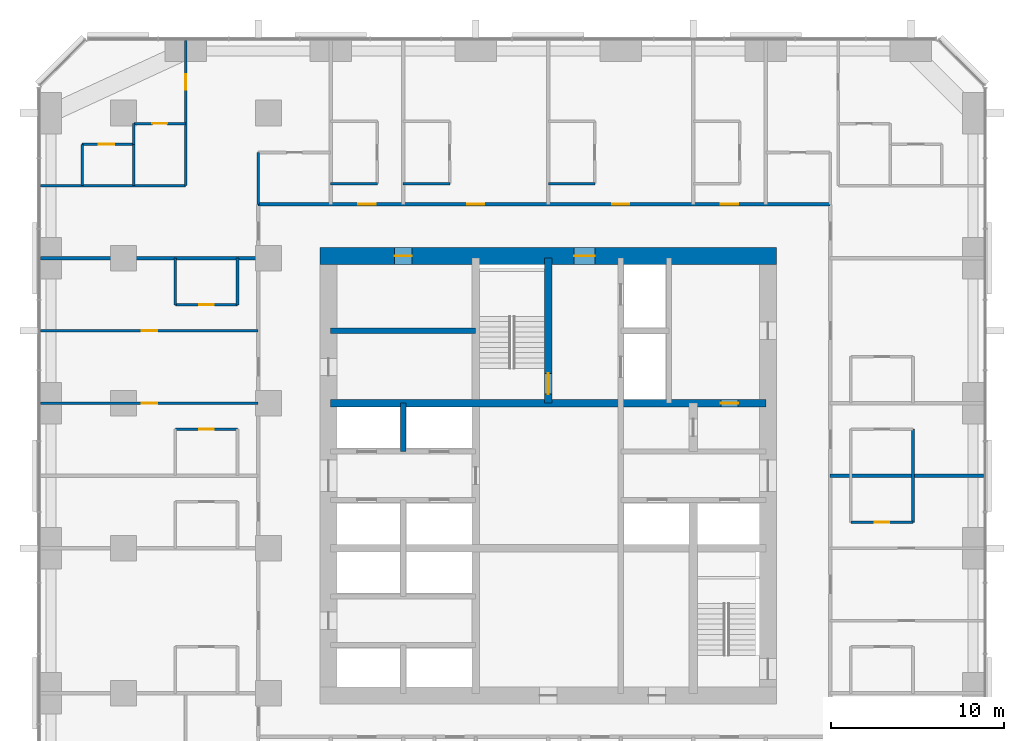
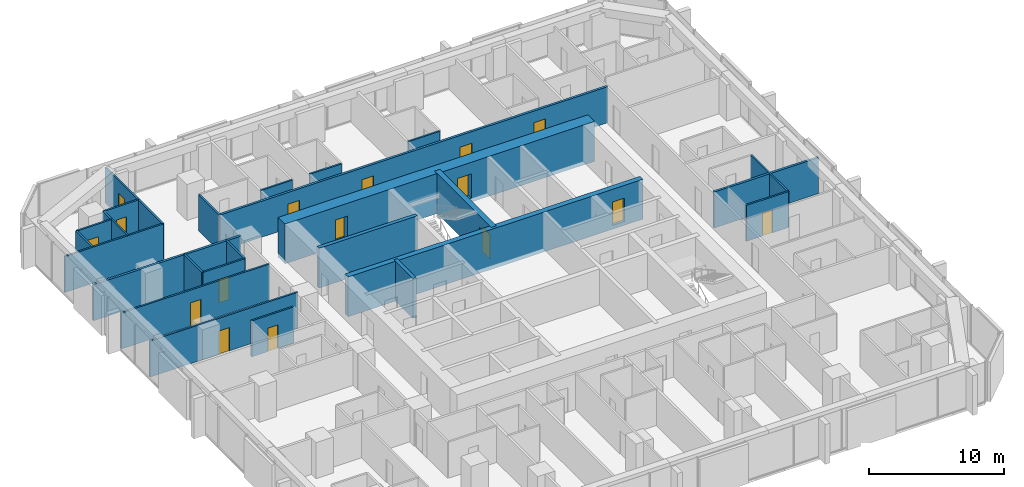
# One storey, part 11 of 14: 27 walls, 16 doors, 16 openings.
"""IFC4 building model written with IfcOpenShell, lengths in metres."""

from ifc_helpers import new_model, si_unit, direction, frame, frame_2d, origin, place, context, subcontext, project, spatial, rectangle, extrude, material, layer, layer_set, type_object, element, fill, save


model = new_model("IFC4")

# Units and contexts
model_context = context("Model", 3, precision=1e-05, world=origin(), true_north=direction((0.0, 1.0)))
body_context = subcontext(model_context, "Body", "Model", "MODEL_VIEW")
ifc_project = project(units=[si_unit("LENGTHUNIT", "METRE"), si_unit("AREAUNIT", "SQUARE_METRE"), si_unit("VOLUMEUNIT", "CUBIC_METRE"), si_unit("PLANEANGLEUNIT", "RADIAN"), si_unit("MASSUNIT", "GRAM", prefix="KILO")], contexts=[model_context])

# Site, building, storey
site_placement = place(None, origin())
site = spatial("IfcSite", under=ifc_project, at=site_placement, CompositionType="ELEMENT")
building_placement = place(site_placement, origin())
building = spatial("IfcBuilding", under=site, at=building_placement, Name="Dunama Terrace Hotel", CompositionType="ELEMENT")
storey_placement = place(building_placement, frame((0.0, 0.0, 136.800048828125)))
storey = spatial("IfcBuildingStorey", under=building, at=storey_placement, Name="L35", CompositionType="ELEMENT", Elevation=136.800048828125)

# Walls
ifc_material_1 = material(Name="Gypsum board partition", Category="masonry")
ifc_layer_1 = layer(ifc_material_1, 0.14990234375)
ifc_layer_set_1 = layer_set([ifc_layer_1], Name="Bathroom partition 150")
wall_type_1 = type_object("IfcWallType", Name="Bathroom partition 150", PredefinedType="PARTITIONING", material=ifc_layer_set_1)
wall_1_placement = place(storey_placement, frame((5.39990234375, 48.60009765625, 0.0), z_axis=(0.0, 0.0, 1.0), x_axis=(0.0, 1.0, 0.0)))
element("IfcWall", 1, at=wall_1_placement, inside=storey, type_object=wall_type_1, Name="Bathroom partition 150 L35", PredefinedType="PARTITIONING", context=body_context, shape_type="SweptSolid", body=[
    extrude(rectangle(XDim=1.199951171875, YDim=0.14990234375, at=frame_2d((0.60009765625, 0.0))), origin(), (0.0, 0.0, 1.0), 3.25),
])
for number, where, z_axis, x_axis, name in (
    (2, (7.800048828125, 39.300048828125, 0.0), (0.0, 0.0, 1.0), (0.0, 1.0, 0.0), "Bathroom partition 150 L35"),
    (3, (11.39990234375, 39.300048828125, 0.0), (0.0, 0.0, 1.0), (0.0, 1.0, 0.0), "Bathroom partition 150 L35"),
):
    element("IfcWall", number, at=place(storey_placement, frame(where, z_axis=z_axis, x_axis=x_axis)), inside=storey, type_object=wall_type_1, Name=name, PredefinedType="PARTITIONING", context=body_context, shape_type="SweptSolid", body=[
        extrude(rectangle(XDim=2.699951171875, YDim=0.14990234375, at=frame_2d((1.35009765625, 0.0))), origin(), (0.0, 0.0, 1.0), 3.25),
    ])
wall_2_placement = place(storey_placement, frame((12.60009765625, 45.125, 0.0), z_axis=(0.0, 0.0, 1.0), x_axis=(0.0, 1.0, 0.0)))
element("IfcWall", 4, at=wall_2_placement, inside=storey, type_object=wall_type_1, Name="Bathroom partition 150 L35", PredefinedType="PARTITIONING", context=body_context, shape_type="SweptSolid", body=[
    extrude(rectangle(XDim=3.0, YDim=0.14990234375, at=frame_2d((1.5, 0.0))), origin(), (0.0, 0.0, 1.0), 3.25),
])
wall_3_placement = place(storey_placement, frame((50.52490234375, 26.699951171875, 0.0), z_axis=(0.0, 0.0, 1.0), x_axis=(0.0, 1.0, 0.0)))
element("IfcWall", 5, at=wall_3_placement, inside=storey, type_object=wall_type_1, Name="Bathroom partition 150 L35", PredefinedType="PARTITIONING", context=body_context, shape_type="SweptSolid", body=[
    extrude(rectangle(XDim=5.400146484375, YDim=0.14990234375, at=frame_2d((2.7001953125, 0.0))), origin(), (0.0, 0.0, 1.0), 3.25),
])

# Wall, opening, door
wall_4_placement = place(storey_placement, frame((46.925048828125, 26.699951171875, 0.0), z_axis=(0.0, 0.0, 1.0), x_axis=(1.0, 0.0, 0.0)))
wall_4 = element("IfcWall", 6, at=wall_4_placement, inside=storey, type_object=wall_type_1, Name="Bathroom partition 150 L35", PredefinedType="PARTITIONING", context=body_context, shape_type="SweptSolid", body=[
    extrude(rectangle(XDim=3.599853515625, YDim=0.14990234375, at=frame_2d((1.7998046875, 0.0))), origin(), (0.0, 0.0, 1.0), 3.25),
])
opening_1_placement = place(wall_4_placement, frame((1.375, 0.0, 0.0)))
opening_1 = element("IfcOpeningElement", 7, at=opening_1_placement, cuts=wall_4, Name="Opening L34-36-027", PredefinedType="OPENING", context=body_context, shape_type="SweptSolid", body=[
    extrude(rectangle(XDim=0.85009765625, YDim=2.10009765625, at=frame_2d((0.425048828125, 1.050048828125))), frame((0.0, 0.0849609375, 0.0), z_axis=(0.0, -1.0, 0.0), x_axis=(1.0, 0.0, 0.0)), (0.0, 0.0, 1.0), 0.169921875),
])
ifc_material_2 = material(Name="Timber door with steel frame", Category="steel")
door_type_1 = type_object("IfcDoorType", Name="Bathroom door 850", OperationType="SINGLE_SWING_LEFT", PredefinedType="DOOR", material=ifc_material_2)
door_1_placement = place(opening_1_placement, origin())
door_1 = element("IfcDoor", 8, at=door_1_placement, inside=storey, type_object=door_type_1, Name="Door to en-suite bathroom L34-36-027, type D2", OperationType="SINGLE_SWING_LEFT", OverallHeight=2.10009765625, OverallWidth=0.85009765625, PredefinedType="DOOR", context=body_context, shape_type="SweptSolid", body=[
    extrude(rectangle(XDim=0.85009765625, YDim=2.10009765625, at=frame_2d((0.425048828125, 1.050048828125))), frame((0.0, 0.02490234375, 0.0), z_axis=(0.0, -1.0, 0.0), x_axis=(1.0, 0.0, 0.0)), (0.0, 0.0, 1.0), 0.050048828125),
])
fill(opening_1, door_1)

wall_5_placement = place(storey_placement, frame((7.800048828125, 32.10009765625, 0.0), z_axis=(0.0, 0.0, 1.0), x_axis=(1.0, 0.0, 0.0)))
wall_5 = element("IfcWall", 9, at=wall_5_placement, inside=storey, type_object=wall_type_1, Name="Bathroom partition 150 L35", PredefinedType="PARTITIONING", context=body_context, shape_type="SweptSolid", body=[
    extrude(rectangle(XDim=3.599853515625, YDim=0.14990234375, at=frame_2d((1.7998046875, 0.0))), origin(), (0.0, 0.0, 1.0), 3.25),
])
opening_2_placement = place(wall_5_placement, frame((1.375, 0.0, 0.0)))
opening_2 = element("IfcOpeningElement", 10, at=opening_2_placement, cuts=wall_5, Name="Opening L34-36-046", PredefinedType="OPENING", context=body_context, shape_type="SweptSolid", body=[
    extrude(rectangle(XDim=0.85009765625, YDim=2.10009765625, at=frame_2d((0.425048828125, 1.050048828125))), frame((0.0, 0.0849609375, 0.0), z_axis=(0.0, -1.0, 0.0), x_axis=(1.0, 0.0, 0.0)), (0.0, 0.0, 1.0), 0.169921875),
])
door_2_placement = place(opening_2_placement, frame((0.85009765625, 0.0, 0.0), z_axis=(0.0, 0.0, 1.0), x_axis=(-1.0, 0.0, 0.0)))
door_2 = element("IfcDoor", 11, at=door_2_placement, inside=storey, type_object=door_type_1, Name="Door to en-suite bathroom L34-36-046, type D2", OperationType="SINGLE_SWING_RIGHT", OverallHeight=2.10009765625, OverallWidth=0.85009765625, PredefinedType="DOOR", context=body_context, shape_type="SweptSolid", body=[
    extrude(rectangle(XDim=0.85009765625, YDim=2.10009765625, at=frame_2d((0.425048828125, 1.050048828125))), frame((0.0, 0.025146484375, 0.0), z_axis=(0.0, -1.0, 0.0), x_axis=(1.0, 0.0, 0.0)), (0.0, 0.0, 1.0), 0.050048828125),
])
fill(opening_2, door_2)

wall_6_placement = place(storey_placement, frame((7.800048828125, 39.300048828125, 0.0), z_axis=(0.0, 0.0, 1.0), x_axis=(1.0, 0.0, 0.0)))
wall_6 = element("IfcWall", 12, at=wall_6_placement, inside=storey, type_object=wall_type_1, Name="Bathroom partition 150 L35", PredefinedType="PARTITIONING", context=body_context, shape_type="SweptSolid", body=[
    extrude(rectangle(XDim=3.599853515625, YDim=0.14990234375, at=frame_2d((1.7998046875, 0.0))), origin(), (0.0, 0.0, 1.0), 3.25),
])
opening_3_placement = place(wall_6_placement, frame((1.375, 0.0, 0.0)))
opening_3 = element("IfcOpeningElement", 13, at=opening_3_placement, cuts=wall_6, Name="Opening L34-36-048", PredefinedType="OPENING", context=body_context, shape_type="SweptSolid", body=[
    extrude(rectangle(XDim=0.85009765625, YDim=2.10009765625, at=frame_2d((0.425048828125, 1.050048828125))), frame((0.0, 0.0849609375, 0.0), z_axis=(0.0, -1.0, 0.0), x_axis=(1.0, 0.0, 0.0)), (0.0, 0.0, 1.0), 0.169921875),
])
door_3_placement = place(opening_3_placement, origin())
door_3 = element("IfcDoor", 14, at=door_3_placement, inside=storey, type_object=door_type_1, Name="Door to en-suite bathroom L34-36-048, type D2", OperationType="SINGLE_SWING_LEFT", OverallHeight=2.10009765625, OverallWidth=0.85009765625, PredefinedType="DOOR", context=body_context, shape_type="SweptSolid", body=[
    extrude(rectangle(XDim=0.85009765625, YDim=2.10009765625, at=frame_2d((0.425048828125, 1.050048828125))), frame((0.0, 0.02490234375, 0.0), z_axis=(0.0, -1.0, 0.0), x_axis=(1.0, 0.0, 0.0)), (0.0, 0.0, 1.0), 0.050048828125),
])
fill(opening_3, door_3)

# Walls
for number, where, z_axis, x_axis, name in (
    (15, (16.800048828125, 46.324951171875, 0.0), (0.0, 0.0, 1.0), (1.0, 0.0, 0.0), "Bathroom partition 150 L35"),
    (16, (21.0, 46.324951171875, 0.0), (0.0, 0.0, 1.0), (1.0, 0.0, 0.0), "Bathroom partition 150 L35"),
):
    element("IfcWall", number, at=place(storey_placement, frame(where, z_axis=z_axis, x_axis=x_axis)), inside=storey, type_object=wall_type_1, Name=name, PredefinedType="PARTITIONING", context=body_context, shape_type="SweptSolid", body=[
        extrude(rectangle(XDim=2.699951171875, YDim=0.14990234375, at=frame_2d((1.35009765625, 0.0))), origin(), (0.0, 0.0, 1.0), 3.25),
    ])
wall_7_placement = place(storey_placement, frame((29.39990234375, 46.324951171875, 0.0), z_axis=(0.0, 0.0, 1.0), x_axis=(1.0, 0.0, 0.0)))
element("IfcWall", 17, at=wall_7_placement, inside=storey, type_object=wall_type_1, Name="Bathroom partition 150 L35", PredefinedType="PARTITIONING", context=body_context, shape_type="SweptSolid", body=[
    extrude(rectangle(XDim=2.7001953125, YDim=0.14990234375, at=frame_2d((1.35009765625, 0.0))), origin(), (0.0, 0.0, 1.0), 3.25),
])

# Wall, opening, door
wall_8_placement = place(storey_placement, frame((5.39990234375, 49.800048828125, 0.0), z_axis=(0.0, 0.0, 1.0), x_axis=(1.0, 0.0, 0.0)))
wall_8 = element("IfcWall", 18, at=wall_8_placement, inside=storey, type_object=wall_type_1, Name="Bathroom partition 150 L35", PredefinedType="PARTITIONING", context=body_context, shape_type="SweptSolid", body=[
    extrude(rectangle(XDim=3.0, YDim=0.14990234375, at=frame_2d((1.5, 0.0))), origin(), (0.0, 0.0, 1.0), 3.25),
])
opening_4_placement = place(wall_8_placement, frame((1.074951171875, 0.0, 0.0)))
opening_4 = element("IfcOpeningElement", 19, at=opening_4_placement, cuts=wall_8, Name="Opening L34-36-068", PredefinedType="OPENING", context=body_context, shape_type="SweptSolid", body=[
    extrude(rectangle(XDim=0.85009765625, YDim=2.10009765625, at=frame_2d((0.425048828125, 1.050048828125))), frame((0.0, 0.0849609375, 0.0), z_axis=(0.0, -1.0, 0.0), x_axis=(1.0, 0.0, 0.0)), (0.0, 0.0, 1.0), 0.169921875),
])
door_4_placement = place(opening_4_placement, frame((0.85009765625, 0.0, 0.0), z_axis=(0.0, 0.0, 1.0), x_axis=(-1.0, 0.0, 0.0)))
door_4 = element("IfcDoor", 20, at=door_4_placement, inside=storey, type_object=door_type_1, Name="Door to en-suite bathroom L34-36-068, type D2", OperationType="SINGLE_SWING_RIGHT", OverallHeight=2.10009765625, OverallWidth=0.85009765625, PredefinedType="DOOR", context=body_context, shape_type="SweptSolid", body=[
    extrude(rectangle(XDim=0.85009765625, YDim=2.10009765625, at=frame_2d((0.425048828125, 1.050048828125))), frame((0.0, 0.025146484375, 0.0), z_axis=(0.0, -1.0, 0.0), x_axis=(1.0, 0.0, 0.0)), (0.0, 0.0, 1.0), 0.050048828125),
])
fill(opening_4, door_4)

# Walls
ifc_material_3 = material(Name="Concrete C50/60", Category="concrete")
ifc_layer_2 = layer(ifc_material_3, 0.300048828125)
ifc_layer_set_2 = layer_set([ifc_layer_2], Name="Core inner wall 300")
wall_type_2 = type_object("IfcWallType", Name="Core inner wall 300", PredefinedType="SHEAR", material=ifc_layer_set_2)
wall_9_placement = place(storey_placement, frame((21.0, 30.800048828125, -0.35009765625), z_axis=(0.0, 0.0, 1.0), x_axis=(0.0, 1.0, 0.0)))
element("IfcWall", 21, at=wall_9_placement, inside=storey, type_object=wall_type_2, Name="Core inner wall 300 L35", PredefinedType="SHEAR", context=body_context, shape_type="SweptSolid", body=[
    extrude(rectangle(XDim=2.800048828125, YDim=0.300048828125, at=frame_2d((1.39990234375, 0.0))), origin(), (0.0, 0.0, 1.0), 3.60009765625),
])
wall_10_placement = place(storey_placement, frame((16.800048828125, 37.800048828125, -0.35009765625), z_axis=(0.0, 0.0, 1.0), x_axis=(1.0, 0.0, 0.0)))
element("IfcWall", 22, at=wall_10_placement, inside=storey, type_object=wall_type_2, Name="Core inner wall 300 L35", PredefinedType="SHEAR", context=body_context, shape_type="SweptSolid", body=[
    extrude(rectangle(XDim=8.39990234375, YDim=0.300048828125, at=frame_2d((4.199951171875, 0.0))), origin(), (0.0, 0.0, 1.0), 3.60009765625),
])

# Wall, opening, door
ifc_material_4 = material(Name="Concrete C50/60", Category="concrete")
ifc_layer_3 = layer(ifc_material_4, 0.449951171875)
ifc_layer_set_3 = layer_set([ifc_layer_3], Name="Core inner wall 450")
wall_type_3 = type_object("IfcWallType", Name="Core inner wall 450", PredefinedType="SHEAR", material=ifc_layer_set_3)
wall_11_placement = place(storey_placement, frame((29.39990234375, 33.60009765625, -0.35009765625), z_axis=(0.0, 0.0, 1.0), x_axis=(0.0, 1.0, 0.0)))
wall_11 = element("IfcWall", 23, at=wall_11_placement, inside=storey, type_object=wall_type_3, Name="Core inner wall 450 L35", PredefinedType="SHEAR", context=body_context, shape_type="SweptSolid", body=[
    extrude(rectangle(XDim=8.39990234375, YDim=0.449951171875, at=frame_2d((4.199951171875, 0.0))), origin(), (0.0, 0.0, 1.0), 3.60009765625),
])
opening_5_placement = place(wall_11_placement, frame((0.52490234375, 0.0, 0.35009765625)))
opening_5 = element("IfcOpeningElement", 24, at=opening_5_placement, cuts=wall_11, Name="Opening L34-36-001", PredefinedType="OPENING", context=body_context, shape_type="SweptSolid", body=[
    extrude(rectangle(XDim=1.199951171875, YDim=2.199951171875, at=frame_2d((0.60009765625, 1.10009765625))), frame((0.0, 0.23486328125, 0.0), z_axis=(0.0, -1.0, 0.0), x_axis=(1.0, 0.0, 0.0)), (0.0, 0.0, 1.0), 0.469970703125),
])
ifc_material_5 = material(Name="Timber door with steel frame", Category="steel")
door_type_2 = type_object("IfcDoorType", Name="Stair door 1200", OperationType="SINGLE_SWING_LEFT", PredefinedType="DOOR", material=ifc_material_5)
door_5_placement = place(opening_5_placement, origin())
door_5 = element("IfcDoor", 25, at=door_5_placement, inside=storey, type_object=door_type_2, Name="Stair door ST1 L34-36-001, type D5", OperationType="SINGLE_SWING_LEFT", OverallHeight=2.199951171875, OverallWidth=1.199951171875, PredefinedType="DOOR", context=body_context, shape_type="SweptSolid", body=[
    extrude(rectangle(XDim=1.199951171875, YDim=2.199951171875, at=frame_2d((0.60009765625, 1.10009765625))), frame((0.0, 0.02490234375, 0.0), z_axis=(0.0, -1.0, 0.0), x_axis=(1.0, 0.0, 0.0)), (0.0, 0.0, 1.0), 0.050048828125),
])
fill(opening_5, door_5)

wall_12_placement = place(storey_placement, frame((16.800048828125, 33.60009765625, -0.35009765625), z_axis=(0.0, 0.0, 1.0), x_axis=(1.0, 0.0, 0.0)))
wall_12 = element("IfcWall", 26, at=wall_12_placement, inside=storey, type_object=wall_type_3, Name="Core inner wall 450 L35", PredefinedType="SHEAR", context=body_context, shape_type="SweptSolid", body=[
    extrude(rectangle(XDim=25.199951171875, YDim=0.449951171875, at=frame_2d((12.60009765625, 0.0))), origin(), (0.0, 0.0, 1.0), 3.60009765625),
])
opening_6_placement = place(wall_12_placement, frame((22.60009765625, 0.0, 0.35009765625)))
opening_6 = element("IfcOpeningElement", 27, at=opening_6_placement, cuts=wall_12, Name="Opening L34-36-076", PredefinedType="OPENING", context=body_context, shape_type="SweptSolid", body=[
    extrude(rectangle(XDim=1.0, YDim=2.10009765625, at=frame_2d((0.5, 1.050048828125))), frame((0.0, 0.23486328125, 0.0), z_axis=(0.0, -1.0, 0.0), x_axis=(1.0, 0.0, 0.0)), (0.0, 0.0, 1.0), 0.469970703125),
])
ifc_material_6 = material(Name="Timber door with steel frame", Category="steel")
door_type_3 = type_object("IfcDoorType", Name="Service door 1000", OperationType="SINGLE_SWING_LEFT", PredefinedType="DOOR", material=ifc_material_6)
door_6_placement = place(opening_6_placement, frame((1.0, 0.0, 0.0), z_axis=(0.0, 0.0, 1.0), x_axis=(-1.0, 0.0, 0.0)))
door_6 = element("IfcDoor", 28, at=door_6_placement, inside=storey, type_object=door_type_3, Name="Door to housekeeping and linen store L34-36-076, type D7", OperationType="SINGLE_SWING_LEFT", OverallHeight=2.10009765625, OverallWidth=1.0, PredefinedType="DOOR", context=body_context, shape_type="SweptSolid", body=[
    extrude(rectangle(XDim=1.0, YDim=2.10009765625, at=frame_2d((0.5, 1.050048828125))), frame((0.0, 0.025146484375, 0.0), z_axis=(0.0, -1.0, 0.0), x_axis=(1.0, 0.0, 0.0)), (0.0, 0.0, 1.0), 0.050048828125),
])
fill(opening_6, door_6)

# Wall, openings, doors
ifc_material_7 = material(Name="Concrete C60/75", Category="concrete")
ifc_layer_4 = layer(ifc_material_7, 1.0)
ifc_layer_set_4 = layer_set([ifc_layer_4], Name="Core wall 1000")
wall_type_4 = type_object("IfcWallType", Name="Core wall 1000", PredefinedType="SHEAR", material=ifc_layer_set_4)
wall_13_placement = place(storey_placement, frame((42.625, 42.125, -0.35009765625), z_axis=(0.0, 0.0, 1.0), x_axis=(-1.0, 0.0, 0.0)))
wall_13 = element("IfcWall", 29, at=wall_13_placement, inside=storey, type_object=wall_type_4, Name="Core wall north L35", PredefinedType="SHEAR", context=body_context, shape_type="SweptSolid", body=[
    extrude(rectangle(XDim=26.449951171875, YDim=1.0, at=frame_2d((13.22509765625, 0.0))), origin(), (0.0, 0.0, 1.0), 3.60009765625),
])
opening_7_placement = place(wall_13_placement, frame((21.125, 0.0, 0.35009765625)))
opening_7 = element("IfcOpeningElement", 30, at=opening_7_placement, cuts=wall_13, Name="Opening L34-36-073", PredefinedType="OPENING", context=body_context, shape_type="SweptSolid", body=[
    extrude(rectangle(XDim=1.0, YDim=2.10009765625, at=frame_2d((0.5, 1.050048828125))), frame((0.0, 0.510009765625, 0.0), z_axis=(0.0, -1.0, 0.0), x_axis=(1.0, 0.0, 0.0)), (0.0, 0.0, 1.0), 1.02001953125),
])
opening_8_placement = place(wall_13_placement, frame((10.52490234375, 0.0, 0.35009765625)))
opening_8 = element("IfcOpeningElement", 31, at=opening_8_placement, cuts=wall_13, Name="Opening L34-36-078", PredefinedType="OPENING", context=body_context, shape_type="SweptSolid", body=[
    extrude(rectangle(XDim=1.199951171875, YDim=2.199951171875, at=frame_2d((0.60009765625, 1.10009765625))), frame((0.0, 0.510009765625, 0.0), z_axis=(0.0, -1.0, 0.0), x_axis=(1.0, 0.0, 0.0)), (0.0, 0.0, 1.0), 1.02001953125),
])
ifc_material_8 = material(Name="Timber door with steel frame", Category="steel")
door_type_4 = type_object("IfcDoorType", Name="Firefighting lobby door 1200", OperationType="SINGLE_SWING_LEFT", PredefinedType="DOOR", material=ifc_material_8)
door_7_placement = place(opening_8_placement, origin())
door_7 = element("IfcDoor", 32, at=door_7_placement, inside=storey, type_object=door_type_4, Name="Door to firefighting lobby L34-36-078, type D4", OperationType="SINGLE_SWING_RIGHT", OverallHeight=2.199951171875, OverallWidth=1.199951171875, PredefinedType="DOOR", context=body_context, shape_type="SweptSolid", body=[
    extrude(rectangle(XDim=1.199951171875, YDim=2.199951171875, at=frame_2d((0.60009765625, 1.10009765625))), frame((0.0, 0.02490234375, 0.0), z_axis=(0.0, -1.0, 0.0), x_axis=(1.0, 0.0, 0.0)), (0.0, 0.0, 1.0), 0.050048828125),
])
fill(opening_8, door_7)
door_8_placement = place(opening_7_placement, origin())
door_8 = element("IfcDoor", 33, at=door_8_placement, inside=storey, type_object=door_type_3, Name="Door to communications and riser room L34-36-073, type D7", OperationType="SINGLE_SWING_LEFT", OverallHeight=2.10009765625, OverallWidth=1.0, PredefinedType="DOOR", context=body_context, shape_type="SweptSolid", body=[
    extrude(rectangle(XDim=1.0, YDim=2.10009765625, at=frame_2d((0.5, 1.050048828125))), frame((0.0, 0.02490234375, 0.0), z_axis=(0.0, -1.0, 0.0), x_axis=(1.0, 0.0, 0.0)), (0.0, 0.0, 1.0), 0.050048828125),
])
fill(opening_7, door_8)

ifc_material_9 = material(Name="Concrete blockwork", Category="masonry")
ifc_layer_5 = layer(ifc_material_9, 0.199951171875)
ifc_layer_set_5 = layer_set([ifc_layer_5], Name="Corridor partition 200")
wall_type_5 = type_object("IfcWallType", Name="Corridor partition 200", PredefinedType="PARTITIONING", material=ifc_layer_set_5)
wall_14_placement = place(storey_placement, frame((12.60009765625, 45.125, 0.0), z_axis=(0.0, 0.0, 1.0), x_axis=(1.0, 0.0, 0.0)))
wall_14 = element("IfcWall", 34, at=wall_14_placement, inside=storey, type_object=wall_type_5, Name="Corridor partition 200 L35", PredefinedType="PARTITIONING", context=body_context, shape_type="SweptSolid", body=[
    extrude(rectangle(XDim=33.125, YDim=0.199951171875, at=frame_2d((16.5625, 0.0))), origin(), (0.0, 0.0, 1.0), 3.25),
])
opening_9_placement = place(wall_14_placement, frame((5.800048828125, 0.0, 0.0)))
opening_9 = element("IfcOpeningElement", 35, at=opening_9_placement, cuts=wall_14, Name="Opening L34-36-032", PredefinedType="OPENING", context=body_context, shape_type="SweptSolid", body=[
    extrude(rectangle(XDim=1.0, YDim=2.199951171875, at=frame_2d((0.5, 1.10009765625))), frame((0.0, 0.10986328125, 0.0), z_axis=(0.0, -1.0, 0.0), x_axis=(1.0, 0.0, 0.0)), (0.0, 0.0, 1.0), 0.219970703125),
])
opening_10_placement = place(wall_14_placement, frame((12.10009765625, 0.0, 0.0)))
opening_10 = element("IfcOpeningElement", 36, at=opening_10_placement, cuts=wall_14, Name="Opening L34-36-034", PredefinedType="OPENING", context=body_context, shape_type="SweptSolid", body=[
    extrude(rectangle(XDim=1.0, YDim=2.199951171875, at=frame_2d((0.5, 1.10009765625))), frame((0.0, 0.10986328125, 0.0), z_axis=(0.0, -1.0, 0.0), x_axis=(1.0, 0.0, 0.0)), (0.0, 0.0, 1.0), 0.219970703125),
])
opening_11_placement = place(wall_14_placement, frame((20.5, 0.0, 0.0)))
opening_11 = element("IfcOpeningElement", 37, at=opening_11_placement, cuts=wall_14, Name="Opening L34-36-036", PredefinedType="OPENING", context=body_context, shape_type="SweptSolid", body=[
    extrude(rectangle(XDim=1.0, YDim=2.199951171875, at=frame_2d((0.5, 1.10009765625))), frame((0.0, 0.10986328125, 0.0), z_axis=(0.0, -1.0, 0.0), x_axis=(1.0, 0.0, 0.0)), (0.0, 0.0, 1.0), 0.219970703125),
])
opening_12_placement = place(wall_14_placement, frame((26.800048828125, 0.0, 0.0)))
opening_12 = element("IfcOpeningElement", 38, at=opening_12_placement, cuts=wall_14, Name="Opening L34-36-038", PredefinedType="OPENING", context=body_context, shape_type="SweptSolid", body=[
    extrude(rectangle(XDim=1.0, YDim=2.199951171875, at=frame_2d((0.5, 1.10009765625))), frame((0.0, 0.10986328125, 0.0), z_axis=(0.0, -1.0, 0.0), x_axis=(1.0, 0.0, 0.0)), (0.0, 0.0, 1.0), 0.219970703125),
])
ifc_material_10 = material(Name="Timber door with steel frame", Category="steel")
door_type_5 = type_object("IfcDoorType", Name="Guest room door 1000", OperationType="SINGLE_SWING_LEFT", PredefinedType="DOOR", material=ifc_material_10)
door_9_placement = place(opening_9_placement, origin())
door_9 = element("IfcDoor", 39, at=door_9_placement, inside=storey, type_object=door_type_5, Name="Door to premier room L34-36-032, type D1", OperationType="SINGLE_SWING_LEFT", OverallHeight=2.199951171875, OverallWidth=1.0, PredefinedType="DOOR", context=body_context, shape_type="SweptSolid", body=[
    extrude(rectangle(XDim=1.0, YDim=2.199951171875, at=frame_2d((0.5, 1.10009765625))), frame((0.0, 0.02490234375, 0.0), z_axis=(0.0, -1.0, 0.0), x_axis=(1.0, 0.0, 0.0)), (0.0, 0.0, 1.0), 0.050048828125),
])
fill(opening_9, door_9)
door_10_placement = place(opening_10_placement, origin())
door_10 = element("IfcDoor", 40, at=door_10_placement, inside=storey, type_object=door_type_5, Name="Door to junior suite L34-36-034, type D1", OperationType="SINGLE_SWING_LEFT", OverallHeight=2.199951171875, OverallWidth=1.0, PredefinedType="DOOR", context=body_context, shape_type="SweptSolid", body=[
    extrude(rectangle(XDim=1.0, YDim=2.199951171875, at=frame_2d((0.5, 1.10009765625))), frame((0.0, 0.02490234375, 0.0), z_axis=(0.0, -1.0, 0.0), x_axis=(1.0, 0.0, 0.0)), (0.0, 0.0, 1.0), 0.050048828125),
])
fill(opening_10, door_10)
door_11_placement = place(opening_11_placement, origin())
door_11 = element("IfcDoor", 41, at=door_11_placement, inside=storey, type_object=door_type_5, Name="Door to junior suite L34-36-036, type D1", OperationType="SINGLE_SWING_LEFT", OverallHeight=2.199951171875, OverallWidth=1.0, PredefinedType="DOOR", context=body_context, shape_type="SweptSolid", body=[
    extrude(rectangle(XDim=1.0, YDim=2.199951171875, at=frame_2d((0.5, 1.10009765625))), frame((0.0, 0.02490234375, 0.0), z_axis=(0.0, -1.0, 0.0), x_axis=(1.0, 0.0, 0.0)), (0.0, 0.0, 1.0), 0.050048828125),
])
fill(opening_11, door_11)
door_12_placement = place(opening_12_placement, origin())
door_12 = element("IfcDoor", 42, at=door_12_placement, inside=storey, type_object=door_type_5, Name="Door to premier room L34-36-038, type D1", OperationType="SINGLE_SWING_LEFT", OverallHeight=2.199951171875, OverallWidth=1.0, PredefinedType="DOOR", context=body_context, shape_type="SweptSolid", body=[
    extrude(rectangle(XDim=1.0, YDim=2.199951171875, at=frame_2d((0.5, 1.10009765625))), frame((0.0, 0.02490234375, 0.0), z_axis=(0.0, -1.0, 0.0), x_axis=(1.0, 0.0, 0.0)), (0.0, 0.0, 1.0), 0.050048828125),
])
fill(opening_12, door_12)

# Walls
ifc_material_11 = material(Name="Concrete blockwork", Category="masonry")
ifc_layer_6 = layer(ifc_material_11, 0.199951171875)
ifc_layer_set_6 = layer_set([ifc_layer_6], Name="Party wall 200")
wall_type_6 = type_object("IfcWallType", Name="Party wall 200", PredefinedType="PARTITIONING", material=ifc_layer_set_6)
wall_15_placement = place(storey_placement, frame((45.72509765625, 29.39990234375, 0.0), z_axis=(0.0, 0.0, 1.0), x_axis=(1.0, 0.0, 0.0)))
element("IfcWall", 43, at=wall_15_placement, inside=storey, type_object=wall_type_6, Name="Party wall 200 L35", PredefinedType="PARTITIONING", context=body_context, shape_type="SweptSolid", body=[
    extrude(rectangle(XDim=8.892822265625, YDim=0.199951171875, at=frame_2d((4.4462890625, 0.0))), origin(), (0.0, 0.0, 1.0), 3.25),
])
wall_16_placement = place(storey_placement, frame((-0.01806640625, 42.0, 0.0), z_axis=(0.0, 0.0, 1.0), x_axis=(1.0, 0.0, 0.0)))
element("IfcWall", 44, at=wall_16_placement, inside=storey, type_object=wall_type_6, Name="Party wall 200 L35", PredefinedType="PARTITIONING", context=body_context, shape_type="SweptSolid", body=[
    extrude(rectangle(XDim=12.6181640625, YDim=0.199951171875, at=frame_2d((6.30908203125, 0.0))), origin(), (0.0, 0.0, 1.0), 3.25),
])
ifc_material_12 = material(Name="Gypsum board partition", Category="masonry")
ifc_layer_7 = layer(ifc_material_12, 0.14990234375)
ifc_layer_set_7 = layer_set([ifc_layer_7], Name="Room partition 150")
wall_type_7 = type_object("IfcWallType", Name="Room partition 150", PredefinedType="PARTITIONING", material=ifc_layer_set_7)
for number, where, z_axis, x_axis, name in (
    (45, (2.39990234375, 46.199951171875, 0.0), (0.0, 0.0, 1.0), (0.0, 1.0, 0.0), "Room partition 150 L35"),
    (46, (5.39990234375, 46.199951171875, 0.0), (0.0, 0.0, 1.0), (0.0, 1.0, 0.0), "Room partition 150 L35"),
):
    element("IfcWall", number, at=place(storey_placement, frame(where, z_axis=z_axis, x_axis=x_axis)), inside=storey, type_object=wall_type_7, Name=name, PredefinedType="PARTITIONING", context=body_context, shape_type="SweptSolid", body=[
        extrude(rectangle(XDim=2.400146484375, YDim=0.14990234375, at=frame_2d((1.2001953125, 0.0))), origin(), (0.0, 0.0, 1.0), 3.25),
    ])

# Wall, opening, door
wall_17_placement = place(storey_placement, frame((8.39990234375, 46.199951171875, 0.0), z_axis=(0.0, 0.0, 1.0), x_axis=(0.0, 1.0, 0.0)))
wall_17 = element("IfcWall", 47, at=wall_17_placement, inside=storey, type_object=wall_type_7, Name="Room partition 150 L35", PredefinedType="PARTITIONING", context=body_context, shape_type="SweptSolid", body=[
    extrude(rectangle(XDim=8.41796875, YDim=0.14990234375, at=frame_2d((4.208984375, 0.0))), origin(), (0.0, 0.0, 1.0), 3.25),
])
opening_13_placement = place(wall_17_placement, frame((5.550048828125, 0.0, 0.0)))
opening_13 = element("IfcOpeningElement", 48, at=opening_13_placement, cuts=wall_17, Name="Opening L34-36-067", PredefinedType="OPENING", context=body_context, shape_type="SweptSolid", body=[
    extrude(rectangle(XDim=0.89990234375, YDim=2.10009765625, at=frame_2d((0.449951171875, 1.050048828125))), frame((0.0, 0.0849609375, 0.0), z_axis=(0.0, -1.0, 0.0), x_axis=(1.0, 0.0, 0.0)), (0.0, 0.0, 1.0), 0.169921875),
])
ifc_material_13 = material(Name="Timber door with steel frame", Category="steel")
door_type_6 = type_object("IfcDoorType", Name="Suite internal door 900", OperationType="SINGLE_SWING_LEFT", PredefinedType="DOOR", material=ifc_material_13)
door_13_placement = place(opening_13_placement, origin())
door_13 = element("IfcDoor", 49, at=door_13_placement, inside=storey, type_object=door_type_6, Name="Door to corner suite bedroom L34-36-067, type D16", OperationType="SINGLE_SWING_RIGHT", OverallHeight=2.10009765625, OverallWidth=0.89990234375, PredefinedType="DOOR", context=body_context, shape_type="SweptSolid", body=[
    extrude(rectangle(XDim=0.89990234375, YDim=2.10009765625, at=frame_2d((0.449951171875, 1.050048828125))), frame((0.0, 0.02490234375, 0.0), z_axis=(0.0, -1.0, 0.0), x_axis=(1.0, 0.0, 0.0)), (0.0, 0.0, 1.0), 0.050048828125),
])
fill(opening_13, door_13)

wall_18_placement = place(storey_placement, frame((-0.01806640625, 33.60009765625, 0.0), z_axis=(0.0, 0.0, 1.0), x_axis=(1.0, 0.0, 0.0)))
wall_18 = element("IfcWall", 50, at=wall_18_placement, inside=storey, type_object=wall_type_7, Name="Room partition 150 L35", PredefinedType="PARTITIONING", context=body_context, shape_type="SweptSolid", body=[
    extrude(rectangle(XDim=12.6181640625, YDim=0.14990234375, at=frame_2d((6.30908203125, 0.0))), origin(), (0.0, 0.0, 1.0), 3.25),
])
opening_14_placement = place(wall_18_placement, frame((5.867919921875, 0.0, 0.0)))
opening_14 = element("IfcOpeningElement", 51, at=opening_14_placement, cuts=wall_18, Name="Opening L34-36-045", PredefinedType="OPENING", context=body_context, shape_type="SweptSolid", body=[
    extrude(rectangle(XDim=0.89990234375, YDim=2.10009765625, at=frame_2d((0.449951171875, 1.050048828125))), frame((0.0, 0.0849609375, 0.0), z_axis=(0.0, -1.0, 0.0), x_axis=(1.0, 0.0, 0.0)), (0.0, 0.0, 1.0), 0.169921875),
])
door_14_placement = place(opening_14_placement, frame((0.89990234375, 0.0, 0.0), z_axis=(0.0, 0.0, 1.0), x_axis=(-1.0, 0.0, 0.0)))
door_14 = element("IfcDoor", 52, at=door_14_placement, inside=storey, type_object=door_type_6, Name="Door to family suite bedroom L34-36-045, type D16", OperationType="SINGLE_SWING_RIGHT", OverallHeight=2.10009765625, OverallWidth=0.89990234375, PredefinedType="DOOR", context=body_context, shape_type="SweptSolid", body=[
    extrude(rectangle(XDim=0.89990234375, YDim=2.10009765625, at=frame_2d((0.449951171875, 1.050048828125))), frame((0.0, 0.025146484375, 0.0), z_axis=(0.0, -1.0, 0.0), x_axis=(1.0, 0.0, 0.0)), (0.0, 0.0, 1.0), 0.050048828125),
])
fill(opening_14, door_14)

wall_19_placement = place(storey_placement, frame((-0.01806640625, 37.800048828125, 0.0), z_axis=(0.0, 0.0, 1.0), x_axis=(1.0, 0.0, 0.0)))
wall_19 = element("IfcWall", 53, at=wall_19_placement, inside=storey, type_object=wall_type_7, Name="Room partition 150 L35", PredefinedType="PARTITIONING", context=body_context, shape_type="SweptSolid", body=[
    extrude(rectangle(XDim=12.6181640625, YDim=0.14990234375, at=frame_2d((6.30908203125, 0.0))), origin(), (0.0, 0.0, 1.0), 3.25),
])
opening_15_placement = place(wall_19_placement, frame((5.867919921875, 0.0, 0.0)))
opening_15 = element("IfcOpeningElement", 54, at=opening_15_placement, cuts=wall_19, Name="Opening L34-36-047", PredefinedType="OPENING", context=body_context, shape_type="SweptSolid", body=[
    extrude(rectangle(XDim=0.89990234375, YDim=2.10009765625, at=frame_2d((0.449951171875, 1.050048828125))), frame((0.0, 0.0849609375, 0.0), z_axis=(0.0, -1.0, 0.0), x_axis=(1.0, 0.0, 0.0)), (0.0, 0.0, 1.0), 0.169921875),
])
door_15_placement = place(opening_15_placement, origin())
door_15 = element("IfcDoor", 55, at=door_15_placement, inside=storey, type_object=door_type_6, Name="Door to family suite second bedroom L34-36-047, type D16", OperationType="SINGLE_SWING_RIGHT", OverallHeight=2.10009765625, OverallWidth=0.89990234375, PredefinedType="DOOR", context=body_context, shape_type="SweptSolid", body=[
    extrude(rectangle(XDim=0.89990234375, YDim=2.10009765625, at=frame_2d((0.449951171875, 1.050048828125))), frame((0.0, 0.02490234375, 0.0), z_axis=(0.0, -1.0, 0.0), x_axis=(1.0, 0.0, 0.0)), (0.0, 0.0, 1.0), 0.050048828125),
])
fill(opening_15, door_15)

# Wall
wall_20_placement = place(storey_placement, frame((-0.01806640625, 46.199951171875, 0.0), z_axis=(0.0, 0.0, 1.0), x_axis=(1.0, 0.0, 0.0)))
element("IfcWall", 56, at=wall_20_placement, inside=storey, type_object=wall_type_7, Name="Room partition 150 L35", PredefinedType="PARTITIONING", context=body_context, shape_type="SweptSolid", body=[
    extrude(rectangle(XDim=8.41796875, YDim=0.14990234375, at=frame_2d((4.208984375, 0.0))), origin(), (0.0, 0.0, 1.0), 3.25),
])

# Wall, opening, door
wall_21_placement = place(storey_placement, frame((2.39990234375, 48.60009765625, 0.0), z_axis=(0.0, 0.0, 1.0), x_axis=(1.0, 0.0, 0.0)))
wall_21 = element("IfcWall", 57, at=wall_21_placement, inside=storey, type_object=wall_type_7, Name="Room partition 150 L35", PredefinedType="PARTITIONING", context=body_context, shape_type="SweptSolid", body=[
    extrude(rectangle(XDim=3.0, YDim=0.14990234375, at=frame_2d((1.5, 0.0))), origin(), (0.0, 0.0, 1.0), 3.25),
])
opening_16_placement = place(wall_21_placement, frame((0.949951171875, 0.0, 0.0)))
opening_16 = element("IfcOpeningElement", 58, at=opening_16_placement, cuts=wall_21, Name="Opening L34-36-069", PredefinedType="OPENING", context=body_context, shape_type="SweptSolid", body=[
    extrude(rectangle(XDim=0.89990234375, YDim=2.10009765625, at=frame_2d((0.449951171875, 1.050048828125))), frame((0.0, 0.0849609375, 0.0), z_axis=(0.0, -1.0, 0.0), x_axis=(1.0, 0.0, 0.0)), (0.0, 0.0, 1.0), 0.169921875),
])
door_16_placement = place(opening_16_placement, frame((0.89990234375, 0.0, 0.0), z_axis=(0.0, 0.0, 1.0), x_axis=(-1.0, 0.0, 0.0)))
door_16 = element("IfcDoor", 59, at=door_16_placement, inside=storey, type_object=door_type_6, Name="Door to dressing room L34-36-069, type D16", OperationType="SINGLE_SWING_RIGHT", OverallHeight=2.10009765625, OverallWidth=0.89990234375, PredefinedType="DOOR", context=body_context, shape_type="SweptSolid", body=[
    extrude(rectangle(XDim=0.89990234375, YDim=2.10009765625, at=frame_2d((0.449951171875, 1.050048828125))), frame((0.0, 0.025146484375, 0.0), z_axis=(0.0, -1.0, 0.0), x_axis=(1.0, 0.0, 0.0)), (0.0, 0.0, 1.0), 0.050048828125),
])
fill(opening_16, door_16)

save(model, "model.ifc")
